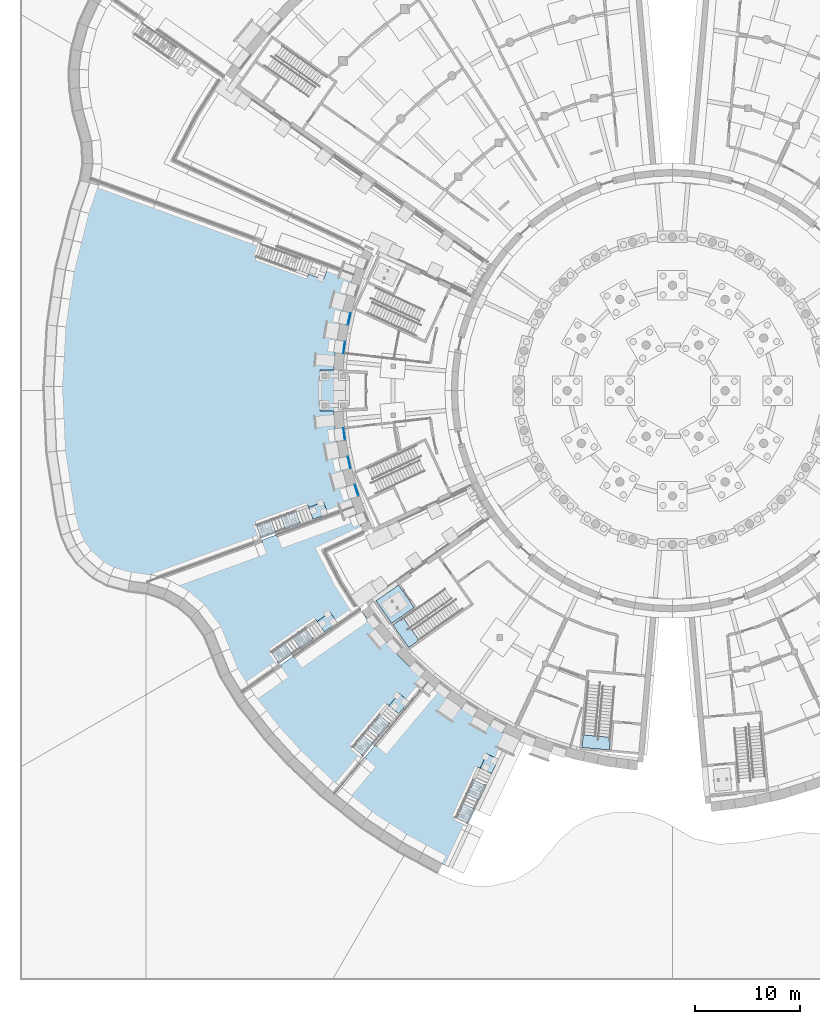
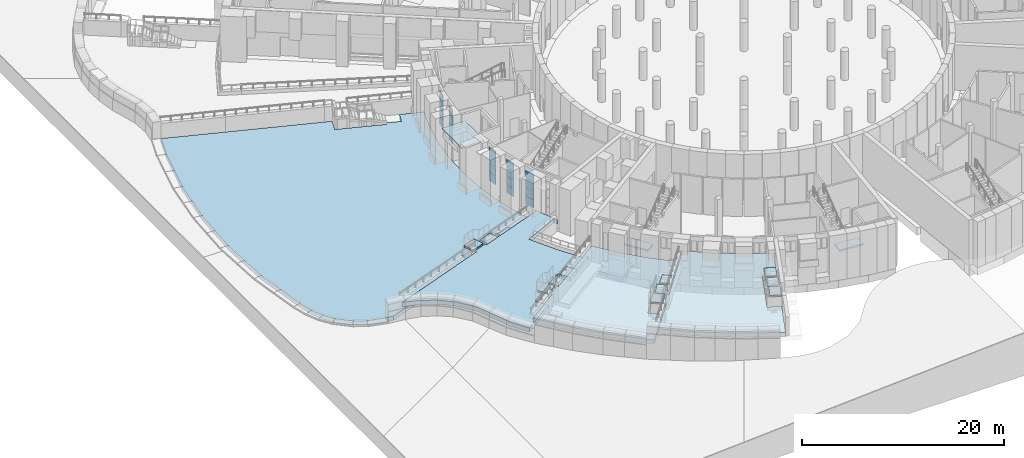
# One storey, part 30 of 65: 20 plates, 20 slabs, 11 elements without a shape of their own.
"""IFC4 building model written with IfcOpenShell, lengths in metres."""

from ifc_helpers import new_model, si_unit, direction, frame, origin, origin_2d, place, context, subcontext, project, spatial, polyline, rectangle, outline, extrude, material, layer, layer_set, type_object, element, aggregate, save


model = new_model("IFC4")

# Units and contexts
model_context = context("Model", 3, precision=1e-05, world=origin(), true_north=direction((0.0, 1.0)))
body_context = subcontext(model_context, "Body", "Model", "MODEL_VIEW")
ifc_project = project(units=[si_unit("LENGTHUNIT", "METRE"), si_unit("AREAUNIT", "SQUARE_METRE"), si_unit("VOLUMEUNIT", "CUBIC_METRE"), si_unit("PLANEANGLEUNIT", "RADIAN"), si_unit("MASSUNIT", "GRAM", prefix="KILO")], contexts=[model_context])

# Site, building, storey
site_placement = place(None, origin())
site = spatial("IfcSite", under=ifc_project, at=site_placement, CompositionType="ELEMENT")
building_placement = place(site_placement, origin())
building = spatial("IfcBuilding", under=site, at=building_placement, Name="Volute Hill Aquarium", CompositionType="ELEMENT")
storey_placement = place(building_placement, frame((0.0, 0.0, -5.5)))
storey = spatial("IfcBuildingStorey", under=building, at=storey_placement, Name="L00", CompositionType="ELEMENT", Elevation=-5.5)

# Curtain wall, plates
ifc_material_1 = material(Name="Aluminium", Category="aluminium")
ifc_layer_1 = layer(ifc_material_1, 0.25)
ifc_layer_set_1 = layer_set([ifc_layer_1], Name="Curtain wall niche S1 module 1193")
curtain_wall_type = type_object("IfcCurtainWallType", Name="Curtain wall niche S1 module 1193", PredefinedType="NOTDEFINED", material=ifc_layer_set_1)
curtain_wall_1_placement = place(storey_placement, origin())
curtain_wall_1 = element("IfcCurtainWall", 1, at=curtain_wall_1_placement, inside=storey, type_object=curtain_wall_type, Name="Curtain wall CW S1 L00 3", PredefinedType="NOTDEFINED")
ifc_material_2 = material(Name="Glass, low-iron laminated", Category="glass")
ifc_layer_2 = layer(ifc_material_2, 0.02392578125)
ifc_layer_set_2 = layer_set([ifc_layer_2], Name="Curtain wall glass panel S1 24")
plate_type_1 = type_object("IfcPlateType", Name="Curtain wall glass panel S1 24", PredefinedType="CURTAIN_PANEL", material=ifc_layer_set_2)
plate_1_placement = place(storey_placement, frame((-30.699462890625, 6.805908203125, 1.824951171875), z_axis=(0.0, 0.0, 1.0), x_axis=(-0.216458239523, -0.976291877741, 0.0)))
plate_1 = element("IfcPlate", 2, at=plate_1_placement, type_object=plate_type_1, Name="CW panel 1.2", PredefinedType="CURTAIN_PANEL", context=body_context, shape_type="SweptSolid", body=[
    extrude(rectangle(XDim=1.093017578125, YDim=0.02392578125, at=origin_2d()), origin(), (0.0, 0.0, 1.0), 1.0),
])
plate_2_placement = place(storey_placement, frame((-30.699462890625, 6.805908203125, 2.875), z_axis=(0.0, 0.0, 1.0), x_axis=(-0.216458239523, -0.976291877741, 0.0)))
plate_2 = element("IfcPlate", 3, at=plate_2_placement, type_object=plate_type_1, Name="CW panel 1.3", PredefinedType="CURTAIN_PANEL", context=body_context, shape_type="SweptSolid", body=[
    extrude(rectangle(XDim=1.093017578125, YDim=0.02392578125, at=origin_2d()), origin(), (0.0, 0.0, 1.0), 1.0),
])
plate_3_placement = place(storey_placement, frame((-30.699462890625, 6.805908203125, 3.925048828125), z_axis=(0.0, 0.0, 1.0), x_axis=(-0.216458239523, -0.976291877741, 0.0)))
plate_3 = element("IfcPlate", 4, at=plate_3_placement, type_object=plate_type_1, Name="CW panel 1.4", PredefinedType="CURTAIN_PANEL", context=body_context, shape_type="SweptSolid", body=[
    extrude(rectangle(XDim=1.093017578125, YDim=0.02392578125, at=origin_2d()), origin(), (0.0, 0.0, 1.0), 0.97509765625),
])

curtain_wall_2_placement = place(storey_placement, origin())
curtain_wall_2 = element("IfcCurtainWall", 5, at=curtain_wall_2_placement, inside=storey, type_object=curtain_wall_type, Name="Curtain wall CW S1 L00 4", PredefinedType="NOTDEFINED")
plate_4_placement = place(storey_placement, frame((-31.17578125, 4.104248046875, 0.800048828125), z_axis=(0.0, 0.0, 1.0), x_axis=(-0.130531706148, -0.991444135436, 0.0)))
plate_4 = element("IfcPlate", 6, at=plate_4_placement, type_object=plate_type_1, Name="CW panel 1.1", PredefinedType="CURTAIN_PANEL", context=body_context, shape_type="SweptSolid", body=[
    extrude(rectangle(XDim=1.093017578125, YDim=0.02392578125, at=origin_2d()), origin(), (0.0, 0.0, 1.0), 0.97509765625),
])
plate_5_placement = place(storey_placement, frame((-31.17578125, 4.104248046875, 1.824951171875), z_axis=(0.0, 0.0, 1.0), x_axis=(-0.130531706148, -0.991444135436, 0.0)))
plate_5 = element("IfcPlate", 7, at=plate_5_placement, type_object=plate_type_1, Name="CW panel 1.2", PredefinedType="CURTAIN_PANEL", context=body_context, shape_type="SweptSolid", body=[
    extrude(rectangle(XDim=1.093017578125, YDim=0.02392578125, at=origin_2d()), origin(), (0.0, 0.0, 1.0), 1.0),
])
plate_6_placement = place(storey_placement, frame((-31.17578125, 4.104248046875, 2.875), z_axis=(0.0, 0.0, 1.0), x_axis=(-0.130531706148, -0.991444135436, 0.0)))
plate_6 = element("IfcPlate", 8, at=plate_6_placement, type_object=plate_type_1, Name="CW panel 1.3", PredefinedType="CURTAIN_PANEL", context=body_context, shape_type="SweptSolid", body=[
    extrude(rectangle(XDim=1.093017578125, YDim=0.02392578125, at=origin_2d()), origin(), (0.0, 0.0, 1.0), 1.0),
])
plate_7_placement = place(storey_placement, frame((-31.17578125, 4.104248046875, 3.925048828125), z_axis=(0.0, 0.0, 1.0), x_axis=(-0.130531706148, -0.991444135436, 0.0)))
plate_7 = element("IfcPlate", 9, at=plate_7_placement, type_object=plate_type_1, Name="CW panel 1.4", PredefinedType="CURTAIN_PANEL", context=body_context, shape_type="SweptSolid", body=[
    extrude(rectangle(XDim=1.093017578125, YDim=0.02392578125, at=origin_2d()), origin(), (0.0, 0.0, 1.0), 0.97509765625),
])
aggregate(curtain_wall_2, [plate_4, plate_5, plate_6, plate_7])

curtain_wall_3_placement = place(storey_placement, origin())
curtain_wall_3 = element("IfcCurtainWall", 10, at=curtain_wall_3_placement, inside=storey, type_object=curtain_wall_type, Name="Curtain wall CW S1 L00 7", PredefinedType="NOTDEFINED")
plate_8_placement = place(storey_placement, frame((-31.17578125, -4.1044921875, 0.800048828125), z_axis=(0.0, 0.0, 1.0), x_axis=(0.130523466497, -0.991445220218, 0.0)))
plate_8 = element("IfcPlate", 11, at=plate_8_placement, type_object=plate_type_1, Name="CW panel 1.1", PredefinedType="CURTAIN_PANEL", context=body_context, shape_type="SweptSolid", body=[
    extrude(rectangle(XDim=1.093017578125, YDim=0.02392578125, at=origin_2d()), origin(), (0.0, 0.0, 1.0), 0.97509765625),
])
plate_9_placement = place(storey_placement, frame((-31.17578125, -4.1044921875, 1.824951171875), z_axis=(0.0, 0.0, 1.0), x_axis=(0.130523466497, -0.991445220218, 0.0)))
plate_9 = element("IfcPlate", 12, at=plate_9_placement, type_object=plate_type_1, Name="CW panel 1.2", PredefinedType="CURTAIN_PANEL", context=body_context, shape_type="SweptSolid", body=[
    extrude(rectangle(XDim=1.093017578125, YDim=0.02392578125, at=origin_2d()), origin(), (0.0, 0.0, 1.0), 1.0),
])
plate_10_placement = place(storey_placement, frame((-31.17578125, -4.1044921875, 2.875), z_axis=(0.0, 0.0, 1.0), x_axis=(0.130523466497, -0.991445220218, 0.0)))
plate_10 = element("IfcPlate", 13, at=plate_10_placement, type_object=plate_type_1, Name="CW panel 1.3", PredefinedType="CURTAIN_PANEL", context=body_context, shape_type="SweptSolid", body=[
    extrude(rectangle(XDim=1.093017578125, YDim=0.02392578125, at=origin_2d()), origin(), (0.0, 0.0, 1.0), 1.0),
])
plate_11_placement = place(storey_placement, frame((-31.17578125, -4.1044921875, 3.925048828125), z_axis=(0.0, 0.0, 1.0), x_axis=(0.130523466497, -0.991445220218, 0.0)))
plate_11 = element("IfcPlate", 14, at=plate_11_placement, type_object=plate_type_1, Name="CW panel 1.4", PredefinedType="CURTAIN_PANEL", context=body_context, shape_type="SweptSolid", body=[
    extrude(rectangle(XDim=1.093017578125, YDim=0.02392578125, at=origin_2d()), origin(), (0.0, 0.0, 1.0), 0.97509765625),
])
aggregate(curtain_wall_3, [plate_8, plate_9, plate_10, plate_11])

curtain_wall_4_placement = place(storey_placement, origin())
curtain_wall_4 = element("IfcCurtainWall", 15, at=curtain_wall_4_placement, inside=storey, type_object=curtain_wall_type, Name="Curtain wall CW S1 L00 8", PredefinedType="NOTDEFINED")
plate_12_placement = place(storey_placement, frame((-30.699462890625, -6.805908203125, 0.800048828125), z_axis=(0.0, 0.0, 1.0), x_axis=(0.216456468061, -0.976292270498, 0.0)))
plate_12 = element("IfcPlate", 16, at=plate_12_placement, type_object=plate_type_1, Name="CW panel 1.1", PredefinedType="CURTAIN_PANEL", context=body_context, shape_type="SweptSolid", body=[
    extrude(rectangle(XDim=1.093017578125, YDim=0.02392578125, at=origin_2d()), origin(), (0.0, 0.0, 1.0), 0.97509765625),
])
plate_13_placement = place(storey_placement, frame((-30.699462890625, -6.805908203125, 1.824951171875), z_axis=(0.0, 0.0, 1.0), x_axis=(0.216456468061, -0.976292270498, 0.0)))
plate_13 = element("IfcPlate", 17, at=plate_13_placement, type_object=plate_type_1, Name="CW panel 1.2", PredefinedType="CURTAIN_PANEL", context=body_context, shape_type="SweptSolid", body=[
    extrude(rectangle(XDim=1.093017578125, YDim=0.02392578125, at=origin_2d()), origin(), (0.0, 0.0, 1.0), 1.0),
])
plate_14_placement = place(storey_placement, frame((-30.699462890625, -6.805908203125, 2.875), z_axis=(0.0, 0.0, 1.0), x_axis=(0.216456468061, -0.976292270498, 0.0)))
plate_14 = element("IfcPlate", 18, at=plate_14_placement, type_object=plate_type_1, Name="CW panel 1.3", PredefinedType="CURTAIN_PANEL", context=body_context, shape_type="SweptSolid", body=[
    extrude(rectangle(XDim=1.093017578125, YDim=0.02392578125, at=origin_2d()), origin(), (0.0, 0.0, 1.0), 1.0),
])
plate_15_placement = place(storey_placement, frame((-30.699462890625, -6.805908203125, 3.925048828125), z_axis=(0.0, 0.0, 1.0), x_axis=(0.216456468061, -0.976292270498, 0.0)))
plate_15 = element("IfcPlate", 19, at=plate_15_placement, type_object=plate_type_1, Name="CW panel 1.4", PredefinedType="CURTAIN_PANEL", context=body_context, shape_type="SweptSolid", body=[
    extrude(rectangle(XDim=1.093017578125, YDim=0.02392578125, at=origin_2d()), origin(), (0.0, 0.0, 1.0), 0.97509765625),
])
aggregate(curtain_wall_4, [plate_12, plate_13, plate_14, plate_15])

curtain_wall_5_placement = place(storey_placement, origin())
curtain_wall_5 = element("IfcCurtainWall", 20, at=curtain_wall_5_placement, inside=storey, type_object=curtain_wall_type, Name="Curtain wall CW S1 L00 9", PredefinedType="NOTDEFINED")
plate_16_placement = place(storey_placement, frame((-29.9892578125, -9.45556640625, 1.824951171875), z_axis=(0.0, 0.0, 1.0), x_axis=(0.30069966623, -0.95371888454, 0.0)))
plate_16 = element("IfcPlate", 21, at=plate_16_placement, type_object=plate_type_1, Name="CW panel 1.2", PredefinedType="CURTAIN_PANEL", context=body_context, shape_type="SweptSolid", body=[
    extrude(rectangle(XDim=1.093017578125, YDim=0.02392578125, at=origin_2d()), origin(), (0.0, 0.0, 1.0), 1.0),
])
plate_17_placement = place(storey_placement, frame((-29.9892578125, -9.45556640625, 2.875), z_axis=(0.0, 0.0, 1.0), x_axis=(0.30069966623, -0.95371888454, 0.0)))
plate_17 = element("IfcPlate", 22, at=plate_17_placement, type_object=plate_type_1, Name="CW panel 1.3", PredefinedType="CURTAIN_PANEL", context=body_context, shape_type="SweptSolid", body=[
    extrude(rectangle(XDim=1.093017578125, YDim=0.02392578125, at=origin_2d()), origin(), (0.0, 0.0, 1.0), 1.0),
])
plate_18_placement = place(storey_placement, frame((-29.9892578125, -9.45556640625, 3.925048828125), z_axis=(0.0, 0.0, 1.0), x_axis=(0.30069966623, -0.95371888454, 0.0)))
plate_18 = element("IfcPlate", 23, at=plate_18_placement, type_object=plate_type_1, Name="CW panel 1.4", PredefinedType="CURTAIN_PANEL", context=body_context, shape_type="SweptSolid", body=[
    extrude(rectangle(XDim=1.093017578125, YDim=0.02392578125, at=origin_2d()), origin(), (0.0, 0.0, 1.0), 0.97509765625),
])

# Plate
ifc_material_3 = material(Name="Aluminium", Category="aluminium")
ifc_layer_3 = layer(ifc_material_3, 0.06005859375)
ifc_layer_set_3 = layer_set([ifc_layer_3], Name="Curtain wall insulated spandrel panel 60")
plate_type_2 = type_object("IfcPlateType", Name="Curtain wall insulated spandrel panel 60", PredefinedType="CURTAIN_PANEL", material=ifc_layer_set_3)
plate_19_placement = place(storey_placement, frame((-30.699462890625, 6.805908203125, 0.800048828125), z_axis=(0.0, 0.0, 1.0), x_axis=(-0.216458239523, -0.976291877741, 0.0)))
plate_19 = element("IfcPlate", 24, at=plate_19_placement, type_object=plate_type_2, Name="CW panel 1.1", PredefinedType="CURTAIN_PANEL", context=body_context, shape_type="SweptSolid", body=[
    extrude(rectangle(XDim=1.093017578125, YDim=0.06005859375, at=origin_2d()), origin(), (0.0, 0.0, 1.0), 0.97509765625),
])

aggregate(curtain_wall_1, [plate_19, plate_1, plate_2, plate_3])

plate_20_placement = place(storey_placement, frame((-29.9892578125, -9.45556640625, 0.800048828125), z_axis=(0.0, 0.0, 1.0), x_axis=(0.30069966623, -0.95371888454, 0.0)))
plate_20 = element("IfcPlate", 25, at=plate_20_placement, type_object=plate_type_2, Name="CW panel 1.1", PredefinedType="CURTAIN_PANEL", context=body_context, shape_type="SweptSolid", body=[
    extrude(rectangle(XDim=1.093017578125, YDim=0.06005859375, at=origin_2d()), origin(), (0.0, 0.0, 1.0), 0.97509765625),
])

aggregate(curtain_wall_5, [plate_20, plate_16, plate_17, plate_18])

# Slabs
ifc_material_4 = material(Name="Concrete C35/45", Category="concrete")
ifc_layer_4 = layer(ifc_material_4, 0.179931640625)
ifc_layer_set_4 = layer_set([ifc_layer_4], Name="Entrance canopy slab C35/45 180")
slab_type_1 = type_object("IfcSlabType", Name="Entrance canopy slab C35/45 180", PredefinedType="ROOF", material=ifc_layer_set_4)
slab_1_placement = place(storey_placement, frame((0.0, 0.0, 4.320068359375)))
element("IfcSlab", 26, at=slab_1_placement, inside=storey, type_object=slab_type_1, Name="cn/S1/L00/slab", PredefinedType="ROOF", context=body_context, shape_type="SweptSolid", body=[
    extrude(outline(polyline([(-30.85009765625, 1.949951171875), (-33.449951171875, 1.949951171875), (-33.449951171875, -1.949951171875), (-30.85009765625, -1.949951171875), (-30.85009765625, 1.949951171875)])), origin(), (0.0, 0.0, 1.0), 0.179931640625),
])
ifc_material_5 = material(Name="Concrete C30/37", Category="concrete")
ifc_layer_5 = layer(ifc_material_5, 0.39990234375)
ifc_layer_set_5 = layer_set([ifc_layer_5], Name="Lift pit slab 400 C30/37")
slab_type_2 = type_object("IfcSlabType", Name="Lift pit slab 400 C30/37", PredefinedType="BASESLAB", material=ifc_layer_set_5)
slab_2_placement = place(storey_placement, frame((0.0, 0.0, -1.800048828125)))
element("IfcSlab", 27, at=slab_2_placement, inside=storey, type_object=slab_type_2, Name="lp/S2-A/L00", PredefinedType="BASESLAB", context=body_context, shape_type="SweptSolid", body=[
    extrude(outline(polyline([(-26.01611328125, -18.4609375), (-28.14599609375, -19.9521484375), (-26.65478515625, -22.08203125), (-24.52490234375, -20.5908203125), (-26.01611328125, -18.4609375)])), origin(), (0.0, 0.0, 1.0), 0.400146484375),
])

# Stair, slab
ifc_material_6 = material(Name="Concrete C30/37", Category="concrete")
stair_type_1 = type_object("IfcStairType", Name="Outdoor stair", PredefinedType="STRAIGHT_RUN_STAIR", material=ifc_material_6)
stair_1_placement = place(storey_placement, origin())
stair_1 = element("IfcStair", 28, at=stair_1_placement, inside=storey, type_object=stair_type_1, Name="Outdoor stair 200", PredefinedType="STRAIGHT_RUN_STAIR")
ifc_material_7 = material(Name="Concrete C30/37", Category="concrete")
ifc_layer_6 = layer(ifc_material_7, 0.5)
ifc_layer_set_6 = layer_set([ifc_layer_6], Name="Outdoor stair foot slab C30/37 500")
slab_type_3 = type_object("IfcSlabType", Name="Outdoor stair foot slab C30/37 500", PredefinedType="LANDING", material=ifc_layer_set_6)
slab_3_placement = place(storey_placement, frame((0.0, 0.0, -0.5)))
slab_3 = element("IfcSlab", 29, at=slab_3_placement, type_object=slab_type_3, Name="Stair 200 foot slab", PredefinedType="LANDING", context=body_context, shape_type="SweptSolid", body=[
    extrude(outline(polyline([(-33.133056640625, -10.569580078125), (-34.552001953125, -11.086181640625), (-34.1416015625, -12.213623046875), (-32.72265625, -11.697265625), (-33.133056640625, -10.569580078125)])), origin(), (0.0, 0.0, 1.0), 0.5),
])

stair_2_placement = place(storey_placement, origin())
stair_2 = element("IfcStair", 30, at=stair_2_placement, inside=storey, type_object=stair_type_1, Name="Outdoor stair 215", PredefinedType="STRAIGHT_RUN_STAIR")
slab_4_placement = place(storey_placement, frame((0.0, 0.0, 0.875)))
slab_4 = element("IfcSlab", 31, at=slab_4_placement, type_object=slab_type_3, Name="Stair 215 foot slab", PredefinedType="LANDING", context=body_context, shape_type="SweptSolid", body=[
    extrude(outline(polyline([(-32.504150390625, -21.050537109375), (-33.7412109375, -21.916748046875), (-33.052734375, -22.899658203125), (-31.81591796875, -22.03369140625), (-32.504150390625, -21.050537109375)])), origin(), (0.0, 0.0, 1.0), 0.5),
])

stair_3_placement = place(storey_placement, origin())
stair_3 = element("IfcStair", 32, at=stair_3_placement, inside=storey, type_object=stair_type_1, Name="Outdoor stair 230", PredefinedType="STRAIGHT_RUN_STAIR")
slab_5_placement = place(storey_placement, frame((0.0, 0.0, 2.25)))
slab_5 = element("IfcSlab", 33, at=slab_5_placement, type_object=slab_type_3, Name="Stair 230 foot slab", PredefinedType="LANDING", context=body_context, shape_type="SweptSolid", body=[
    extrude(outline(polyline([(-25.9482421875, -28.74609375), (-26.9189453125, -29.902587890625), (-25.999755859375, -30.674072265625), (-25.029052734375, -29.517333984375), (-25.9482421875, -28.74609375)])), origin(), (0.0, 0.0, 1.0), 0.5),
])

stair_4_placement = place(storey_placement, origin())
stair_4 = element("IfcStair", 34, at=stair_4_placement, inside=storey, type_object=stair_type_1, Name="Outdoor stair 245", PredefinedType="STRAIGHT_RUN_STAIR")
slab_6_placement = place(storey_placement, frame((0.0, 0.0, 3.625)))
slab_6 = element("IfcSlab", 35, at=slab_6_placement, type_object=slab_type_3, Name="Stair 245 foot slab", PredefinedType="LANDING", context=body_context, shape_type="SweptSolid", body=[
    extrude(outline(polyline([(-17.624267578125, -34.482421875), (-18.26220703125, -35.85107421875), (-17.1748046875, -36.358154296875), (-16.53662109375, -34.989501953125), (-17.624267578125, -34.482421875)])), origin(), (0.0, 0.0, 1.0), 0.5),
])

# Slab
ifc_material_8 = material(Name="Concrete C30/37", Category="concrete")
ifc_layer_7 = layer(ifc_material_8, 0.199951171875)
ifc_layer_set_7 = layer_set([ifc_layer_7], Name="Outdoor stair landing C30/37 200")
slab_type_4 = type_object("IfcSlabType", Name="Outdoor stair landing C30/37 200", PredefinedType="LANDING", material=ifc_layer_set_7)
slab_7_placement = place(storey_placement, frame((0.0, 0.0, 0.56396484375)))
slab_7 = element("IfcSlab", 36, at=slab_7_placement, type_object=slab_type_4, Name="ST landing 1", PredefinedType="LANDING", context=body_context, shape_type="SweptSolid", body=[
    extrude(outline(polyline([(-35.736083984375, -11.51708984375), (-37.164306640625, -12.036865234375), (-36.75390625, -13.16455078125), (-35.32568359375, -12.644775390625), (-35.736083984375, -11.51708984375)])), origin(), (0.0, 0.0, 1.0), 0.199951171875),
])

slab_8_placement = place(storey_placement, frame((0.0, 0.0, 1.175048828125)))
slab_8 = element("IfcSlab", 37, at=slab_8_placement, type_object=slab_type_4, Name="ST landing 2", PredefinedType="LANDING", context=body_context, shape_type="SweptSolid", body=[
    extrude(outline(polyline([(-38.047607421875, -12.3583984375), (-39.466796875, -12.874755859375), (-39.056396484375, -14.00244140625), (-37.63720703125, -13.486083984375), (-38.047607421875, -12.3583984375)])), origin(), (0.0, 0.0, 1.0), 0.199951171875),
])

aggregate(stair_1, [slab_3, slab_7, slab_8])

slab_9_placement = place(storey_placement, frame((0.0, 0.0, 1.93896484375)))
slab_9 = element("IfcSlab", 38, at=slab_9_placement, type_object=slab_type_4, Name="ST landing 1", PredefinedType="LANDING", context=body_context, shape_type="SweptSolid", body=[
    extrude(outline(polyline([(-34.773193359375, -22.639404296875), (-36.018310546875, -23.51123046875), (-35.330078125, -24.494140625), (-34.0849609375, -23.622314453125), (-34.773193359375, -22.639404296875)])), origin(), (0.0, 0.0, 1.0), 0.199951171875),
])

slab_10_placement = place(storey_placement, frame((0.0, 0.0, 2.550048828125)))
slab_10 = element("IfcSlab", 39, at=slab_10_placement, type_object=slab_type_4, Name="ST landing 2", PredefinedType="LANDING", context=body_context, shape_type="SweptSolid", body=[
    extrude(outline(polyline([(-36.788330078125, -24.05029296875), (-38.025390625, -24.91650390625), (-37.3369140625, -25.8994140625), (-36.10009765625, -25.033447265625), (-36.788330078125, -24.05029296875)])), origin(), (0.0, 0.0, 1.0), 0.199951171875),
])

aggregate(stair_2, [slab_4, slab_9, slab_10])

slab_11_placement = place(storey_placement, frame((0.0, 0.0, 3.31396484375)))
slab_11 = element("IfcSlab", 40, at=slab_11_placement, type_object=slab_type_4, Name="ST landing 1", PredefinedType="LANDING", context=body_context, shape_type="SweptSolid", body=[
    extrude(outline(polyline([(-27.72900390625, -30.867919921875), (-28.705810546875, -32.0322265625), (-27.78662109375, -32.8037109375), (-26.8095703125, -31.639404296875), (-27.72900390625, -30.867919921875)])), origin(), (0.0, 0.0, 1.0), 0.199951171875),
])

slab_12_placement = place(storey_placement, frame((0.0, 0.0, 3.925048828125)))
slab_12 = element("IfcSlab", 41, at=slab_12_placement, type_object=slab_type_4, Name="ST landing 2", PredefinedType="LANDING", context=body_context, shape_type="SweptSolid", body=[
    extrude(outline(polyline([(-29.31005859375, -32.75244140625), (-30.28076171875, -33.9091796875), (-29.361572265625, -34.680419921875), (-28.390869140625, -33.523681640625), (-29.31005859375, -32.75244140625)])), origin(), (0.0, 0.0, 1.0), 0.199951171875),
])

aggregate(stair_3, [slab_5, slab_11, slab_12])

slab_13_placement = place(storey_placement, frame((0.0, 0.0, 4.68896484375)))
slab_13 = element("IfcSlab", 42, at=slab_13_placement, type_object=slab_type_4, Name="ST landing 1", PredefinedType="LANDING", context=body_context, shape_type="SweptSolid", body=[
    extrude(outline(polyline([(-18.794921875, -36.992919921875), (-19.437255859375, -38.37060546875), (-18.349609375, -38.877685546875), (-17.707275390625, -37.5), (-18.794921875, -36.992919921875)])), origin(), (0.0, 0.0, 1.0), 0.199951171875),
])

slab_14_placement = place(storey_placement, frame((0.0, 0.0, 5.300048828125)))
slab_14 = element("IfcSlab", 43, at=slab_14_placement, type_object=slab_type_4, Name="ST landing 2", PredefinedType="LANDING", context=body_context, shape_type="SweptSolid", body=[
    extrude(outline(polyline([(-19.83447265625, -39.222412109375), (-20.47265625, -40.591064453125), (-19.385009765625, -41.09814453125), (-18.746826171875, -39.7294921875), (-19.83447265625, -39.222412109375)])), origin(), (0.0, 0.0, 1.0), 0.199951171875),
])

aggregate(stair_4, [slab_6, slab_13, slab_14])

# Slabs
ifc_material_9 = material(Name="Concrete C30/37", Category="concrete")
ifc_layer_8 = layer(ifc_material_9, 0.5)
ifc_layer_set_8 = layer_set([ifc_layer_8], Name="Site paving build-up C30/37 500")
slab_type_5 = type_object("IfcSlabType", Name="Site paving build-up C30/37 500", PredefinedType="BASESLAB", material=ifc_layer_set_8)
slab_15_placement = place(storey_placement, frame((0.0, 0.0, -0.5)))
element("IfcSlab", 44, at=slab_15_placement, inside=storey, type_object=slab_type_5, Name="pv/LC/L00/0", PredefinedType="BASESLAB", context=body_context, shape_type="SweptSolid", body=[
    extrude(outline(polyline([(-53.35693359375, -17.592041015625), (-51.546630859375, -18.092529296875), (-50.6181640625, -18.210693359375), (-39.065673828125, -14.005859375), (-39.5615234375, -12.643310546875), (-39.55224609375, -12.639892578125), (-39.5556640625, -12.630615234375), (-34.631591796875, -10.83837890625), (-34.546142578125, -11.0732421875), (-33.127197265625, -10.556884765625), (-32.71337890625, -11.693603515625), (-30.37353515625, -10.842041015625), (-30.3056640625, -11.028564453125), (-31.151123046875, -8.346923828125), (-31.760009765625, -5.60009765625), (-32.127197265625, -2.810791015625), (-32.25, 0.0), (-32.127197265625, 2.810791015625), (-31.760009765625, 5.60009765625), (-31.151123046875, 8.346923828125), (-30.30517578125, 11.030029296875), (-30.37353515625, 10.842041015625), (-32.71337890625, 11.69384765625), (-33.127197265625, 10.556884765625), (-34.546142578125, 11.0732421875), (-34.631591796875, 10.83837890625), (-39.5556640625, 12.630615234375), (-39.55224609375, 12.639892578125), (-39.5615234375, 12.643310546875), (-39.065673828125, 14.005859375), (-55.30859375, 19.91796875), (-55.33837890625, 19.73193359375), (-56.24560546875, 17.07177734375), (-57.649658203125, 11.46630859375), (-58.448486328125, 6.14599609375), (-58.769287109375, 0.385986328125), (-58.49560546875, -5.760986328125), (-57.56494140625, -11.841796875), (-57.1552734375, -13.412353515625), (-56.60986328125, -14.66552734375), (-55.85546875, -15.749267578125), (-54.49755859375, -16.968017578125), (-53.35693359375, -17.592041015625)])), origin(), (0.0, 0.0, 1.0), 0.5),
])
slab_16_placement = place(storey_placement, frame((0.0, 0.0, 0.875)))
element("IfcSlab", 45, at=slab_16_placement, inside=storey, type_object=slab_type_5, Name="pv/FB1/L00/0", PredefinedType="BASESLAB", context=body_context, shape_type="SweptSolid", body=[
    extrude(outline(polyline([(-43.6435546875, -22.8095703125), (-42.050048828125, -26.770263671875), (-40.996826171875, -28.462158203125), (-37.34521484375, -25.9052734375), (-38.177001953125, -24.717529296875), (-38.168701171875, -24.711669921875), (-38.17431640625, -24.70361328125), (-33.882080078125, -21.697998046875), (-33.73876953125, -21.90283203125), (-32.501708984375, -21.03662109375), (-31.8076171875, -22.02783203125), (-29.76806640625, -20.599609375), (-29.6533203125, -20.763427734375), (-29.921630859375, -20.34228515625), (-30.259033203125, -20.55712890625), (-31.69677734375, -18.30029296875), (-33.35595703125, -15.11279296875), (-29.427001953125, -13.28076171875), (-29.273681640625, -13.650634765625), (-29.228515625, -13.62939453125), (-30.304443359375, -11.031494140625), (-30.236572265625, -11.218017578125), (-37.510009765625, -13.865234375), (-37.578369140625, -13.677490234375), (-38.98779296875, -14.1904296875), (-38.91943359375, -14.37841796875), (-49.751220703125, -18.32080078125), (-49.68896484375, -18.328857421875), (-47.99365234375, -18.88037109375), (-46.43359375, -19.75048828125), (-45.055419921875, -20.918212890625), (-43.6435546875, -22.8095703125)])), origin(), (0.0, 0.0, 1.0), 0.5),
])
slab_17_placement = place(storey_placement, frame((0.0, 0.0, 2.25)))
element("IfcSlab", 46, at=slab_17_placement, inside=storey, type_object=slab_type_5, Name="pv/FB2/L00/0", PredefinedType="BASESLAB", context=body_context, shape_type="SweptSolid", body=[
    extrude(outline(polyline([(-35.91064453125, -34.75390625), (-32.739013671875, -37.756103515625), (-32.259521484375, -38.13427734375), (-29.367919921875, -34.688232421875), (-30.478759765625, -33.756103515625), (-30.47216796875, -33.74853515625), (-30.47998046875, -33.741943359375), (-27.11181640625, -29.72802734375), (-26.920166015625, -29.888671875), (-25.949462890625, -28.73193359375), (-25.022705078125, -29.509765625), (-23.422119140625, -27.602294921875), (-23.268798828125, -27.730712890625), (-25.597412109375, -25.597412109375), (-27.730712890625, -23.268798828125), (-29.6533203125, -20.763427734375), (-29.53857421875, -20.92724609375), (-35.87890625, -25.36669921875), (-35.993408203125, -25.202880859375), (-37.22216796875, -26.063232421875), (-37.107666015625, -26.22705078125), (-40.78515625, -28.80224609375), (-40.4384765625, -29.359375), (-37.978515625, -32.486083984375), (-35.91064453125, -34.75390625)])), origin(), (0.0, 0.0, 1.0), 0.5),
])
slab_18_placement = place(storey_placement, frame((0.0, 0.0, 3.625)))
element("IfcSlab", 47, at=slab_18_placement, inside=storey, type_object=slab_type_5, Name="pv/FB3/L00/0", PredefinedType="BASESLAB", context=body_context, shape_type="SweptSolid", body=[
    extrude(outline(polyline([(-25.686279296875, -42.8671875), (-21.849853515625, -44.94384765625), (-21.29150390625, -45.1865234375), (-19.389404296875, -41.107177734375), (-20.703369140625, -40.494384765625), (-20.69921875, -40.4853515625), (-20.708251953125, -40.48095703125), (-18.49365234375, -35.73193359375), (-18.26708984375, -35.837646484375), (-17.629150390625, -34.468994140625), (-16.532470703125, -34.98046875), (-15.47998046875, -32.723876953125), (-15.298828125, -32.808349609375), (-18.10009765625, -31.35009765625), (-20.763427734375, -29.6533203125), (-23.268798828125, -27.730712890625), (-23.11572265625, -27.859375), (-28.0908203125, -33.78857421875), (-28.244140625, -33.659912109375), (-29.20849609375, -34.80908203125), (-29.05517578125, -34.937744140625), (-31.9453125, -38.382080078125), (-29.044677734375, -40.67041015625), (-25.686279296875, -42.8671875)])), origin(), (0.0, 0.0, 1.0), 0.5),
])

# Stair, slab
ifc_material_10 = material(Name="Concrete C35/45", Category="concrete")
stair_type_2 = type_object("IfcStairType", Name="Stair C35/45", PredefinedType="HALF_TURN_STAIR", material=ifc_material_10)
stair_5_placement = place(storey_placement, origin())
stair_5 = element("IfcStair", 48, at=stair_5_placement, inside=storey, type_object=stair_type_2, Name="ST/S2-A/L00", PredefinedType="HALF_TURN_STAIR")
ifc_material_11 = material(Name="Concrete C35/45", Category="concrete")
ifc_layer_9 = layer(ifc_material_11, 0.199951171875)
ifc_layer_set_9 = layer_set([ifc_layer_9], Name="Stair landing C35/45 200")
slab_type_6 = type_object("IfcSlabType", Name="Stair landing C35/45 200", PredefinedType="LANDING", material=ifc_layer_set_9)
slab_19_placement = place(storey_placement, frame((0.0, 0.0, 2.550048828125)))
slab_19 = element("IfcSlab", 49, at=slab_19_placement, type_object=slab_type_6, Name="ST-S2-A-00 landing 1", PredefinedType="LANDING", context=body_context, shape_type="SweptSolid", body=[
    extrude(outline(polyline([(-25.555419921875, -21.556396484375), (-26.5400390625, -22.245849609375), (-25.048583984375, -24.37548828125), (-24.064208984375, -23.686279296875), (-25.555419921875, -21.556396484375)])), origin(), (0.0, 0.0, 1.0), 0.199951171875),
])
aggregate(stair_5, [slab_19])

stair_6_placement = place(storey_placement, origin())
stair_6 = element("IfcStair", 50, at=stair_6_placement, inside=storey, type_object=stair_type_2, Name="ST/S2-B/L00", PredefinedType="HALF_TURN_STAIR")
slab_20_placement = place(storey_placement, frame((0.0, 0.0, 2.550048828125)))
slab_20 = element("IfcSlab", 51, at=slab_20_placement, type_object=slab_type_6, Name="ST-S2-B-00 landing 1", PredefinedType="LANDING", context=body_context, shape_type="SweptSolid", body=[
    extrude(outline(polyline([(-8.480712890625, -32.68310546875), (-8.585693359375, -33.880615234375), (-5.99560546875, -34.107177734375), (-5.890625, -32.909912109375), (-8.480712890625, -32.68310546875)])), origin(), (0.0, 0.0, 1.0), 0.199951171875),
])
aggregate(stair_6, [slab_20])

save(model, "model.ifc")
